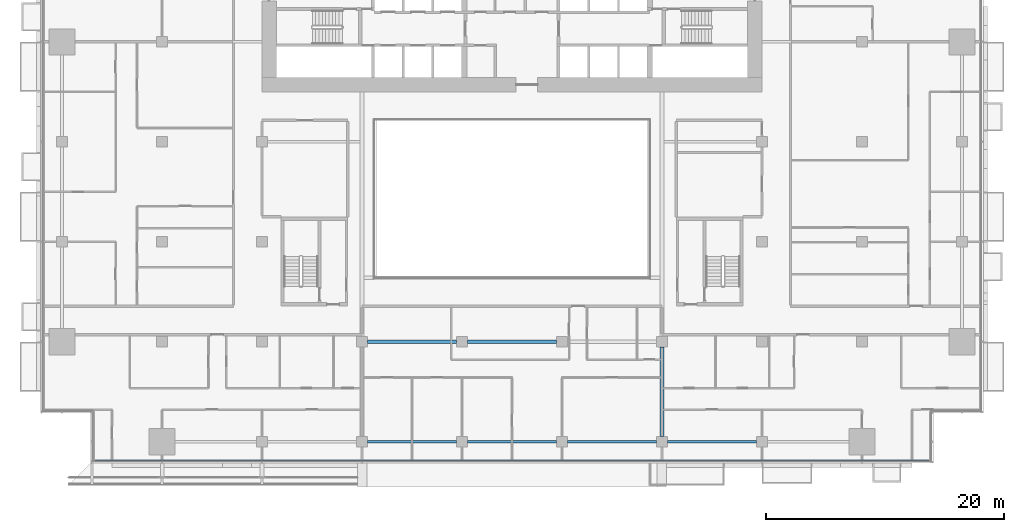
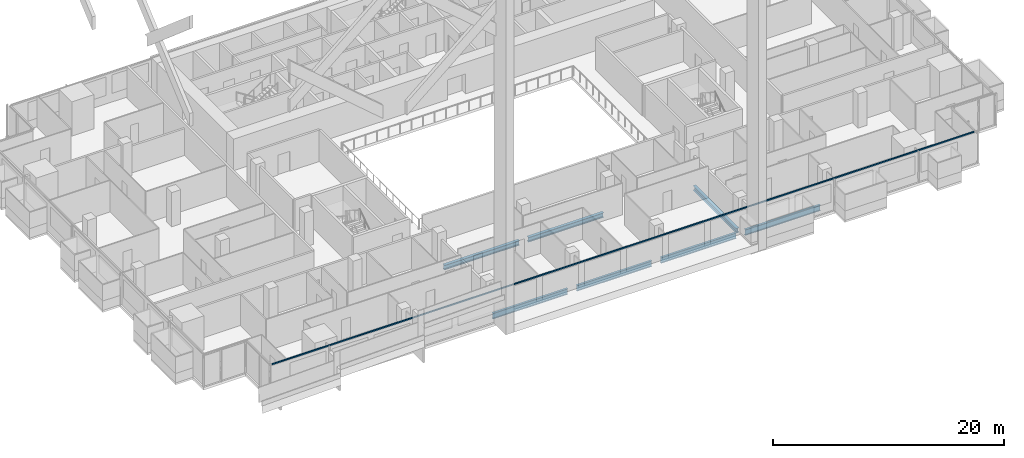
# One storey, part 5 of 30: 7 beams, 1 member, 1 element without a shape of its own.
"""IFC4 building model written with IfcOpenShell, lengths in metres."""

from ifc_helpers import new_model, si_unit, direction, frame, origin, origin_2d, place, context, subcontext, project, spatial, rectangle, i_section, extrude, material, material_profile, profile_set, type_object, element, aggregate, save


model = new_model("IFC4")

# Units and contexts
model_context = context("Model", 3, precision=1e-05, world=origin(), true_north=direction((0.0, 1.0)))
body_context = subcontext(model_context, "Body", "Model", "MODEL_VIEW")
ifc_project = project(units=[si_unit("LENGTHUNIT", "METRE"), si_unit("AREAUNIT", "SQUARE_METRE"), si_unit("VOLUMEUNIT", "CUBIC_METRE"), si_unit("PLANEANGLEUNIT", "RADIAN"), si_unit("MASSUNIT", "GRAM", prefix="KILO")], contexts=[model_context])

# Site, building, storey
site_placement = place(None, origin())
site = spatial("IfcSite", under=ifc_project, at=site_placement, CompositionType="ELEMENT")
building_placement = place(site_placement, origin())
building = spatial("IfcBuilding", under=site, at=building_placement, Name="Saffron Gate Tower", CompositionType="ELEMENT")
storey_placement = place(building_placement, frame((0.0, 0.0, 37.199951171875)))
storey = spatial("IfcBuildingStorey", under=building, at=storey_placement, Name="L07", CompositionType="ELEMENT", Elevation=37.199951171875)

# Beams
ifc_material_1 = material(Name="Structural steel S355", Category="steel")
ifc_material_profile_1 = material_profile(ifc_material_1, i_section(OverallWidth=0.219970703125, OverallDepth=0.60009765625, WebThickness=0.011962890625, FlangeThickness=0.01904296875, FilletRadius=0.02392578125, at=origin_2d()))
ifc_profile_set_1 = profile_set([ifc_material_profile_1], Name="Structural steel S355")
beam_type_1 = type_object("IfcBeamType", Name="B16 IPE 600", PredefinedType="SPANDREL", material=ifc_profile_set_1)
for number, where, z_axis, x_axis, name in (
    (1, (75.449951171875, 31.800048828125, -0.579833984375), (1.0, 0.0, 0.0), (0.0, 1.0, 0.0), "B16 SPANDREL BEAM"),
    (2, (83.85009765625, 31.800048828125, -0.579833984375), (1.0, 0.0, 0.0), (0.0, 1.0, 0.0), "B16 SPANDREL BEAM"),
    (3, (92.25, 31.800048828125, -0.579833984375), (1.0, 0.0, 0.0), (0.0, 1.0, 0.0), "B16 SPANDREL BEAM"),
    (4, (100.64990234375, 31.800048828125, -0.579833984375), (1.0, 0.0, 0.0), (0.0, 1.0, 0.0), "B16 SPANDREL BEAM"),
):
    element("IfcBeam", number, at=place(storey_placement, frame(where, z_axis=z_axis, x_axis=x_axis)), inside=storey, type_object=beam_type_1, Name=name, PredefinedType="SPANDREL", context=body_context, shape_type="SweptSolid", body=[
        extrude(i_section(OverallWidth=0.219970703125, OverallDepth=0.60009765625, WebThickness=0.011962890625, FlangeThickness=0.01904296875, FilletRadius=0.02392578125, at=origin_2d()), origin(), (0.0, 0.0, 1.0), 7.5),
    ])
ifc_material_profile_2 = material_profile(ifc_material_1, i_section(OverallWidth=0.300048828125, OverallDepth=0.489990234375, WebThickness=0.011962890625, FlangeThickness=0.02294921875, FilletRadius=0.027099609375, at=origin_2d()))
ifc_profile_set_2 = profile_set([ifc_material_profile_2], Name="Structural steel S355")
beam_type_2 = type_object("IfcBeamType", Name="B8 HEA 500", PredefinedType="BEAM", material=ifc_profile_set_2)
for number, where, z_axis, x_axis, name in (
    (5, (100.199951171875, 32.25, -0.52490234375), (0.0, 1.0, 0.0), (-1.0, 0.0, 0.0), "B8 FLOOR GIRDER"),
    (6, (75.449951171875, 40.199951171875, -0.52490234375), (1.0, 0.0, 0.0), (0.0, 1.0, 0.0), "B8 FLOOR GIRDER"),
    (7, (83.85009765625, 40.199951171875, -0.52490234375), (1.0, 0.0, 0.0), (0.0, 1.0, 0.0), "B8 FLOOR GIRDER"),
):
    element("IfcBeam", number, at=place(storey_placement, frame(where, z_axis=z_axis, x_axis=x_axis)), inside=storey, type_object=beam_type_2, Name=name, PredefinedType="BEAM", context=body_context, shape_type="SweptSolid", body=[
        extrude(i_section(OverallWidth=0.300048828125, OverallDepth=0.489990234375, WebThickness=0.011962890625, FlangeThickness=0.02294921875, FilletRadius=0.027099609375, at=origin_2d()), origin(), (0.0, 0.0, 1.0), 7.5),
    ])

# Curtain wall, member
ifc_material_2 = material(Name="Aluminium, bronze anodised", Category="aluminium")
curtain_wall_type = type_object("IfcCurtainWallType", Name="CWS1 curtain wall front facade", PredefinedType="NOTDEFINED", material=ifc_material_2)
curtain_wall_placement = place(storey_placement, origin())
curtain_wall = element("IfcCurtainWall", 8, at=curtain_wall_placement, inside=storey, type_object=curtain_wall_type, Name="CWS1 run 1", PredefinedType="NOTDEFINED")
ifc_material_profile_3 = material_profile(ifc_material_2, rectangle(XDim=0.1201171875, YDim=0.1201171875, at=origin_2d()))
ifc_profile_set_3 = profile_set([ifc_material_profile_3], Name="Aluminium, bronze anodised")
member_type = type_object("IfcMemberType", Name="CWS1 head transom", PredefinedType="USERDEFINED", material=ifc_profile_set_3)
member_placement = place(storey_placement, frame((52.568115234375, 30.248046875, 3.260009765625), z_axis=(1.0, 0.0, 0.0), x_axis=(0.0, 1.0, 0.0)))
member = element("IfcMember", 9, at=member_placement, type_object=member_type, Name="CWS1 head transom", ObjectType="TRANSOM", PredefinedType="USERDEFINED", context=body_context, shape_type="SweptSolid", body=[
    extrude(rectangle(XDim=0.1201171875, YDim=0.1201171875, at=origin_2d()), origin(), (0.0, 0.0, 1.0), 70.06396484375),
])
aggregate(curtain_wall, [member])

save(model, "model.ifc")
